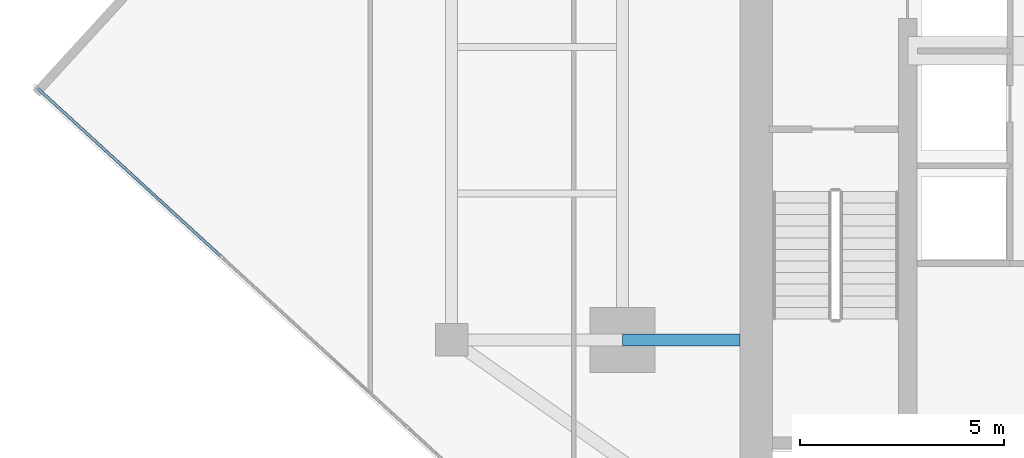
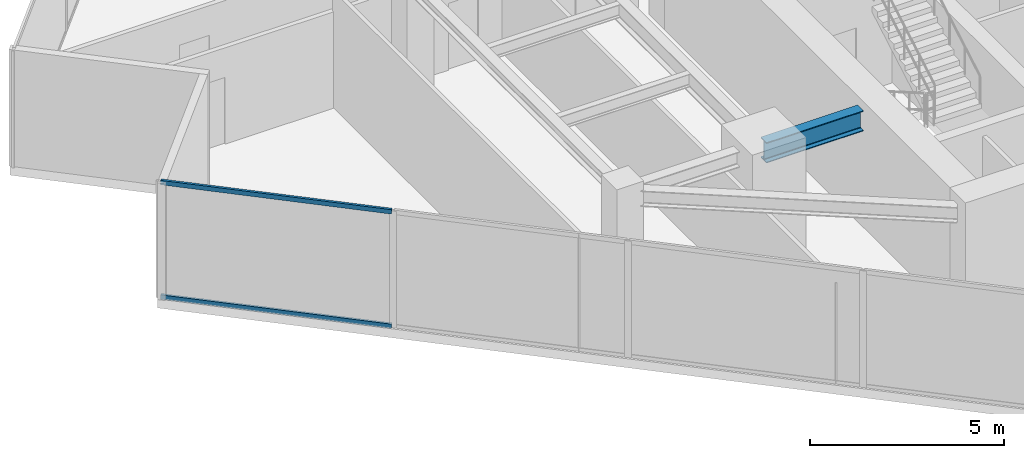
# One storey, part 5 of 26: 2 members, 1 beam, 1 element without a shape of its own.
"""IFC4 building model written with IfcOpenShell, lengths in metres."""

from ifc_helpers import new_model, si_unit, direction, frame, origin, origin_2d, place, context, subcontext, project, spatial, hollow_rectangle, i_section, extrude, source, transform, mapped, material, material_profile, profile_set, type_object, type_shapes, element, aggregate, save


model = new_model("IFC4")

# Units and contexts
model_context = context("Model", 3, precision=1e-05, world=origin(), true_north=direction((0.0, 1.0)))
body_context = subcontext(model_context, "Body", "Model", "MODEL_VIEW")
ifc_project = project(units=[si_unit("LENGTHUNIT", "METRE"), si_unit("AREAUNIT", "SQUARE_METRE"), si_unit("VOLUMEUNIT", "CUBIC_METRE"), si_unit("PLANEANGLEUNIT", "RADIAN"), si_unit("MASSUNIT", "GRAM", prefix="KILO")], contexts=[model_context])

# Site, building, storey
site_placement = place(None, origin())
site = spatial("IfcSite", under=ifc_project, at=site_placement, CompositionType="ELEMENT")
building_placement = place(site_placement, origin())
building = spatial("IfcBuilding", under=site, at=building_placement, Name="Krantzveldt Concourse Tower", CompositionType="ELEMENT")
storey_placement = place(building_placement, frame((0.0, 0.0, 219.14990234375)))
storey = spatial("IfcBuildingStorey", under=building, at=storey_placement, Name="L53", CompositionType="ELEMENT", Elevation=219.14990234375)

# Beam
ifc_material_1 = material(Name="Steel S355JR", Category="steel")
ifc_material_profile_1 = material_profile(ifc_material_1, i_section(OverallWidth=0.300048828125, OverallDepth=0.639892578125, WebThickness=0.013427734375, FlangeThickness=0.02587890625, FilletRadius=0.027099609375, at=origin_2d()), Name="Steel S355JR", Category="steel")
ifc_profile_set_1 = profile_set([ifc_material_profile_1], Name="Steel S355JR - HEA 650")
beam_type = type_object("IfcBeamType", Name="BM-B-HEA650", PredefinedType="BEAM", material=ifc_profile_set_1)
shared_shape_1 = source(origin(), body_context, "Body", "SweptSolid", [
    extrude(i_section(OverallWidth=0.300048828125, OverallDepth=0.639892578125, WebThickness=0.013427734375, FlangeThickness=0.02587890625, FilletRadius=0.027099609375, at=origin_2d()), origin(), (0.0, 0.0, 1.0), 2.880126953125),
])
type_shapes(beam_type, [shared_shape_1])
beam_placement = place(storey_placement, frame((25.199951171875, 15.89990234375, 3.35009765625), z_axis=(1.0, 0.0, 0.0), x_axis=(0.0, 1.0, 0.0)))
element("IfcBeam", 1, at=beam_placement, inside=storey, type_object=beam_type, Name="L53 Tower Girder BG-CW1", PredefinedType="BEAM", context=body_context, shape_type="MappedRepresentation", body=[
    mapped(shared_shape_1, transform((0.0, 0.0, 0.0), x_axis=(1.0, 0.0, 0.0), y_axis=(0.0, 1.0, 0.0), z_axis=(0.0, 0.0, 1.0), scale=1.0)),
])

# Curtain wall, members
ifc_material_2 = material(Name="Anodised aluminium 6063-T6", Category="aluminium")
curtain_wall_type = type_object("IfcCurtainWallType", Name="CW3", PredefinedType="USERDEFINED", material=ifc_material_2)
curtain_wall_placement = place(storey_placement, origin())
curtain_wall = element("IfcCurtainWall", 2, at=curtain_wall_placement, inside=storey, type_object=curtain_wall_type, Name="CW-L53-F04", ObjectType="UNITISED CURTAIN WALL", PredefinedType="USERDEFINED")
ifc_material_profile_2 = material_profile(ifc_material_2, hollow_rectangle(XDim=0.070068359375, YDim=0.139892578125, WallThickness=0.0048828125, at=origin_2d()), Name="Anodised aluminium 6063-T6", Category="aluminium")
ifc_profile_set_2 = profile_set([ifc_material_profile_2], Name="Anodised aluminium 6063-T6 - ALU-TRAN 140x70x5")
member_type = type_object("IfcMemberType", Name="CW-TRN-150", PredefinedType="USERDEFINED", material=ifc_profile_set_2)
shared_shape_2 = source(origin(), body_context, "Body", "SweptSolid", [
    extrude(hollow_rectangle(XDim=0.070068359375, YDim=0.139892578125, WallThickness=0.0048828125, at=origin_2d()), origin(), (0.0, 0.0, 1.0), 6.094970703125),
])
type_shapes(member_type, [shared_shape_2])
member_1_placement = place(storey_placement, frame((10.8349609375, 22.076416015625, 0.03515625), z_axis=(0.737277168993, -0.675590390755, 0.0), x_axis=(0.675590390755, 0.737277168993, 0.0)))
member_1 = element("IfcMember", 3, at=member_1_placement, type_object=member_type, Name="CW-Z34 transom 1.1", ObjectType="TRANSOM", PredefinedType="USERDEFINED", context=body_context, shape_type="MappedRepresentation", body=[
    mapped(shared_shape_2, transform((0.0, 0.0, 0.0), x_axis=(1.0, 0.0, 0.0), y_axis=(0.0, 1.0, 0.0), z_axis=(0.0, 0.0, 1.0), scale=1.0)),
])
member_2_placement = place(storey_placement, frame((10.8349609375, 22.076416015625, 3.635009765625), z_axis=(0.737277168993, -0.675590390755, 0.0), x_axis=(0.675590390755, 0.737277168993, 0.0)))
member_2 = element("IfcMember", 4, at=member_2_placement, type_object=member_type, Name="CW-Z34 transom 1.2", ObjectType="TRANSOM", PredefinedType="USERDEFINED", context=body_context, shape_type="MappedRepresentation", body=[
    mapped(shared_shape_2, transform((0.0, 0.0, 0.0), x_axis=(1.0, 0.0, 0.0), y_axis=(0.0, 1.0, 0.0), z_axis=(0.0, 0.0, 1.0), scale=1.0)),
])
aggregate(curtain_wall, [member_1, member_2])

save(model, "model.ifc")
